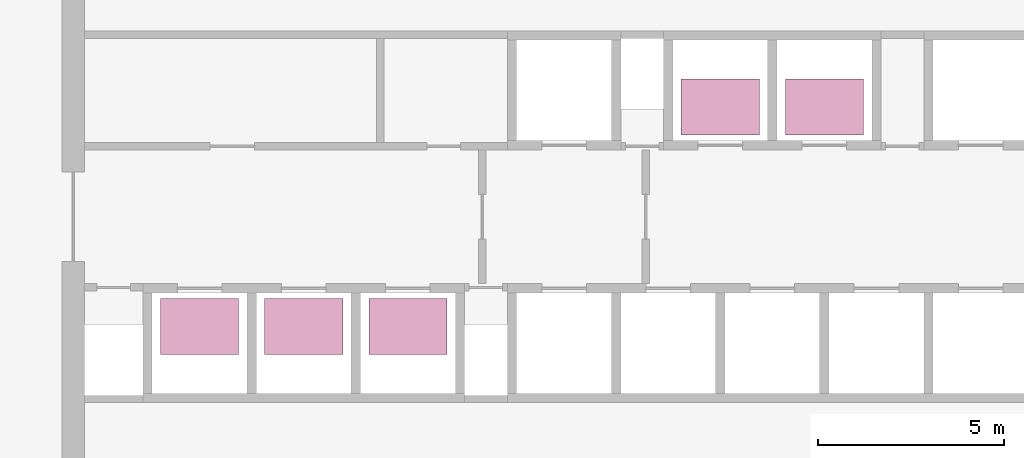
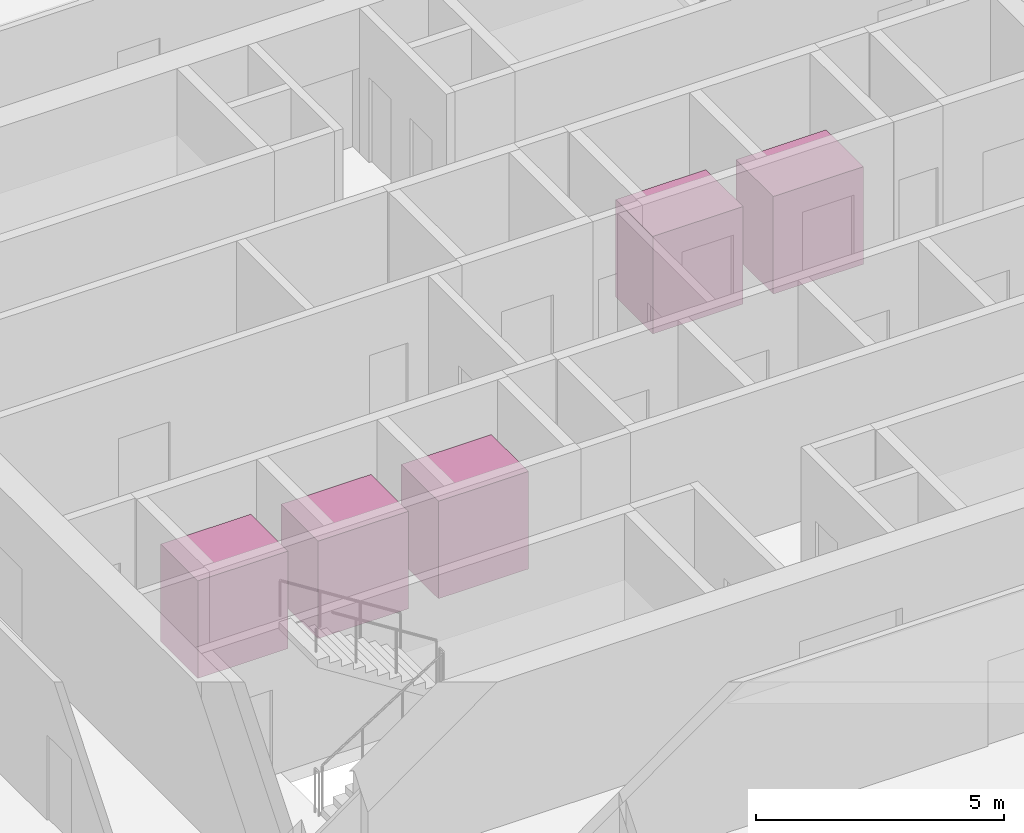
# One storey, part 20 of 20: 5 transport elements.
"""IFC4 building model written with IfcOpenShell, lengths in metres."""

from ifc_helpers import new_model, si_unit, direction, frame, origin, origin_2d, place, context, subcontext, project, spatial, rectangle, extrude, material, type_object, element, save


model = new_model("IFC4")

# Units and contexts
model_context = context("Model", 3, precision=1e-05, world=origin(), true_north=direction((0.0, 1.0)))
body_context = subcontext(model_context, "Body", "Model", "MODEL_VIEW")
ifc_project = project(units=[si_unit("LENGTHUNIT", "METRE"), si_unit("AREAUNIT", "SQUARE_METRE"), si_unit("VOLUMEUNIT", "CUBIC_METRE"), si_unit("PLANEANGLEUNIT", "RADIAN"), si_unit("MASSUNIT", "GRAM", prefix="KILO")], contexts=[model_context])

# Site, building, storey
site_placement = place(None, origin())
site = spatial("IfcSite", under=ifc_project, at=site_placement, CompositionType="ELEMENT")
building_placement = place(site_placement, origin())
building = spatial("IfcBuilding", under=site, at=building_placement, Name="Dhurran Vertical Campus", CompositionType="ELEMENT")
storey_placement = place(building_placement, frame((0.0, 0.0, 235.199951171875)))
storey = spatial("IfcBuildingStorey", under=building, at=storey_placement, Name="L58", CompositionType="ELEMENT", Elevation=235.199951171875)

# Transport elements
ifc_material = material(Name="Lift car, brushed stainless panels")
transport_element_type = type_object("IfcTransportElementType", Name="co-LIFT-HR", PredefinedType="ELEVATOR", material=ifc_material)
for number, where, z_axis, x_axis, name in (
    (1, (4.199951171875, 2.949951171875, 0.0), (0.0, 0.0, 1.0), (1.0, 0.0, 0.0), "High-rise passenger lift HR1"),
    (2, (7.0, 2.949951171875, 0.0), (0.0, 0.0, 1.0), (1.0, 0.0, 0.0), "High-rise passenger lift HR2"),
    (3, (-9.800048828125, -2.949951171875, 0.0), (0.0, 0.0, 1.0), (1.0, 0.0, 0.0), "High-rise passenger lift HR3"),
    (4, (-7.0, -2.949951171875, 0.0), (0.0, 0.0, 1.0), (1.0, 0.0, 0.0), "High-rise passenger lift HR4"),
    (5, (-4.199951171875, -2.949951171875, 0.0), (0.0, 0.0, 1.0), (1.0, 0.0, 0.0), "High-rise passenger lift HR5"),
):
    element("IfcTransportElement", number, at=place(storey_placement, frame(where, z_axis=z_axis, x_axis=x_axis)), inside=storey, type_object=transport_element_type, Name=name, PredefinedType="ELEVATOR", context=body_context, shape_type="SweptSolid", body=[
        extrude(rectangle(XDim=2.10009765625, YDim=1.5, at=origin_2d()), origin(), (0.0, 0.0, 1.0), 2.39990234375),
    ])

save(model, "model.ifc")
